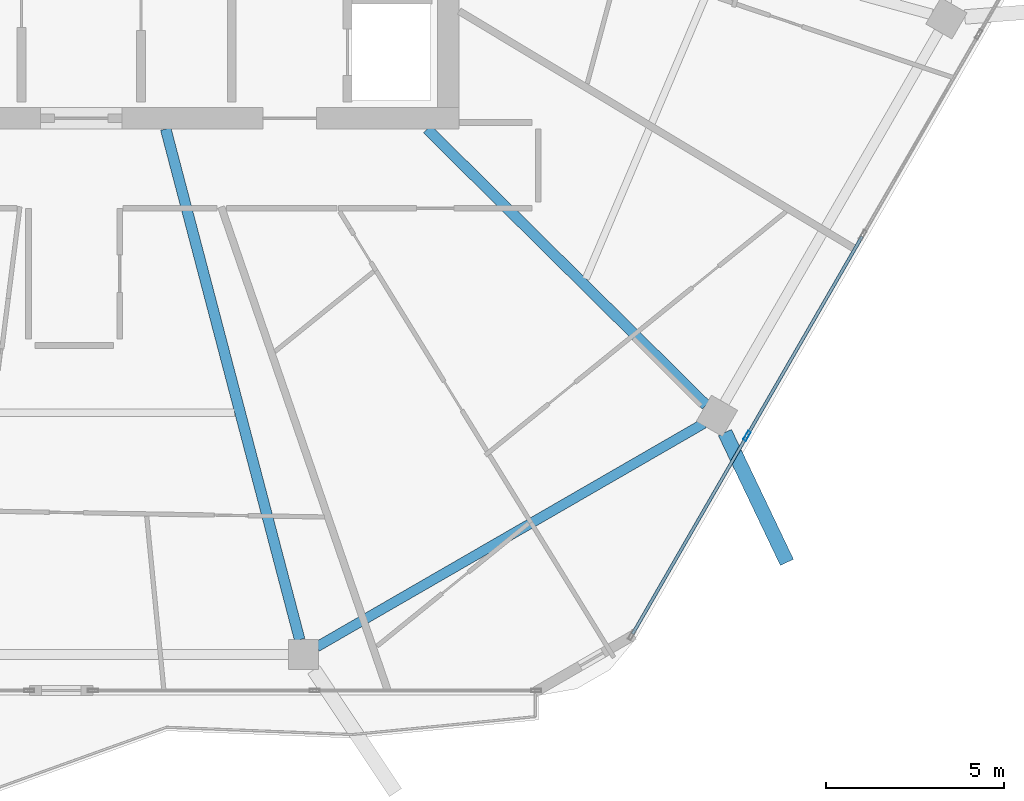
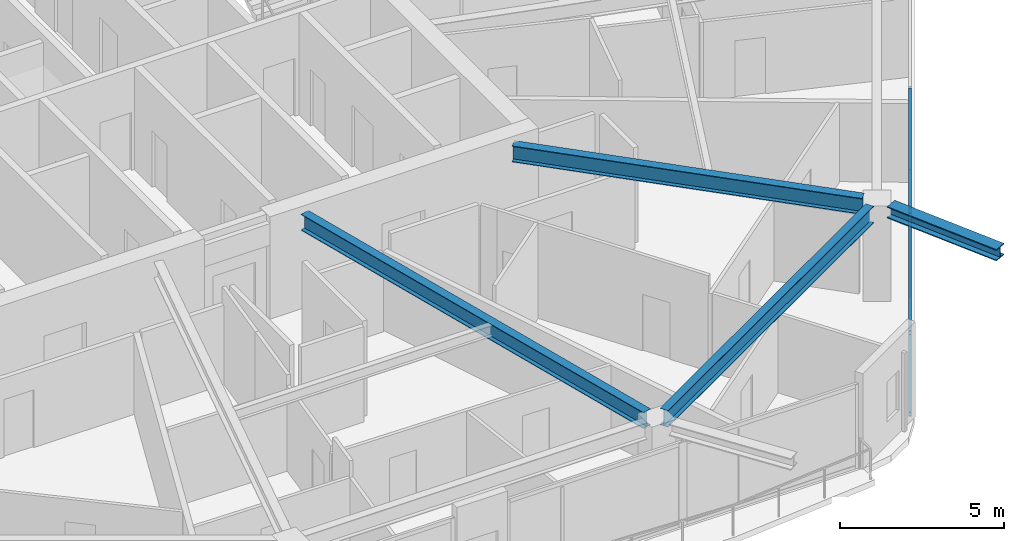
# One storey, part 8 of 26: 5 members, 4 beams, 1 element without a shape of its own.
"""IFC4 building model written with IfcOpenShell, lengths in metres."""

import ifcopenshell
import ifcopenshell.guid

model = None  # the IFC model being written
_history = None  # IfcOwnerHistory: only IFC2X3 demands one
_inside = {}  # id of a spatial element -> (the spatial element, [elements in it])
_under = {}  # id of a project, library or spatial element -> (it, [spatial elements below it])
_declared = {}  # id of a project -> (the project, [libraries it declares])
_typed = {}  # id of a type object -> (the type object, [elements of that type])
_made_of = {}  # id of a material, layer set ... -> (it, [elements and type objects made of it])


def new_model(schema):
    """Start an empty IFC model of exactly this schema.

    Asked for "IFC4X3", IfcOpenShell would pick the latest addendum, in which some entities
    have other attributes; the version numbers below select the first issue.
    IFC2X3 requires an IfcOwnerHistory on every rooted entity: one is made here for all.
    """
    global model, _history
    if schema == "IFC4X3":
        model = ifcopenshell.file(schema_version=(4, 3, 0, 0))
    else:
        model = ifcopenshell.file(schema=schema)
    _inside.clear()
    _under.clear()
    _declared.clear()
    _typed.clear()
    _made_of.clear()
    _history = None
    if model.schema == "IFC2X3":
        org = make("IfcOrganization", Name="unknown")
        user = make(
            "IfcPersonAndOrganization",
            ThePerson=make("IfcPerson", FamilyName="unknown"),
            TheOrganization=org,
        )
        app = make(
            "IfcApplication",
            ApplicationDeveloper=org,
            Version="unknown",
            ApplicationFullName="unknown",
            ApplicationIdentifier="unknown",
        )
        _history = make(
            "IfcOwnerHistory",
            OwningUser=user,
            OwningApplication=app,
            ChangeAction="ADDED",
            CreationDate=0,
        )
    return model


def make(cls, **values):
    """One entity of the class cls with the attributes given. An attribute that is None is left unset."""
    return model.create_entity(
        cls, **{name: value for name, value in values.items() if value is not None}
    )


def rooted(cls, **values):
    """An entity with a GlobalId (a new one), such as an element, a storey or a relation."""
    return make(cls, GlobalId=ifcopenshell.guid.new(), OwnerHistory=_history, **values)


def si_unit(unit_type, name, prefix=None):
    """IfcSIUnit, for example si_unit("LENGTHUNIT", "METRE", prefix="MILLI")."""
    return make("IfcSIUnit", UnitType=unit_type, Prefix=prefix, Name=name)


def assignment(units):
    """IfcUnitAssignment: the units of a project."""
    return None if units is None else make("IfcUnitAssignment", Units=units)


def point(xyz):
    """IfcCartesianPoint."""
    return None if xyz is None else make("IfcCartesianPoint", Coordinates=xyz)


def direction(xyz):
    """IfcDirection."""
    return None if xyz is None else make("IfcDirection", DirectionRatios=xyz)


def frame(location, z_axis=None, x_axis=None):
    """IfcAxis2Placement3D, a coordinate frame: its origin and axes. An axis left out is left unset."""
    return make(
        "IfcAxis2Placement3D",
        Location=point(location),
        Axis=direction(z_axis),
        RefDirection=direction(x_axis),
    )


def frame_2d(location, x_axis=None):
    """IfcAxis2Placement2D, a coordinate frame in the plane: its origin and x axis."""
    return make(
        "IfcAxis2Placement2D", Location=point(location), RefDirection=direction(x_axis)
    )


def origin():
    """The frame at (0, 0, 0) with its axes left unset."""
    return frame((0.0, 0.0, 0.0))


def origin_2d():
    """The frame at (0, 0) in the plane with its x axis left unset."""
    return frame_2d((0.0, 0.0))


def place(relative_to, where):
    """IfcLocalPlacement: puts the frame where relative to a parent placement (None: the world)."""
    return make(
        "IfcLocalPlacement", PlacementRelTo=relative_to, RelativePlacement=where
    )


def context(
    kind, dimensions, precision=None, world=None, true_north=None, identifier=None
):
    """IfcGeometricRepresentationContext, for example the 3D "Model" context."""
    return make(
        "IfcGeometricRepresentationContext",
        ContextIdentifier=identifier,
        ContextType=kind,
        CoordinateSpaceDimension=dimensions,
        Precision=precision,
        WorldCoordinateSystem=world,
        TrueNorth=true_north,
    )


def subcontext(parent, identifier, kind, view, scale=None):
    """IfcGeometricRepresentationSubContext, for example "Body" below "Model"."""
    return make(
        "IfcGeometricRepresentationSubContext",
        ContextIdentifier=identifier,
        ContextType=kind,
        ParentContext=parent,
        TargetScale=scale,
        TargetView=view,
    )


def project(units=None, contexts=None):
    """IfcProject with its units and contexts."""
    return rooted(
        "IfcProject",
        Name="project",
        RepresentationContexts=contexts,
        UnitsInContext=assignment(units),
    )


def spatial(cls, under=None, at=None, **own):
    """A site, building, storey or space (cls), placed at a placement, below another one or the project."""
    s = rooted(cls, ObjectPlacement=at, **own)
    if under is not None:
        _under.setdefault(under.id(), (under, []))[1].append(s)
    return s


def profile(cls, at=None, kind="AREA", **sizes):
    """A parametric profile (cls). Its sizes go by their IFC names, for example OverallWidth=200.0."""
    return make(cls, ProfileType=kind, Position=at, **sizes)


def hollow_rectangle(**sizes):
    """IfcRectangleHollowProfileDef."""
    return profile("IfcRectangleHollowProfileDef", **sizes)


def i_section(**sizes):
    """IfcIShapeProfileDef."""
    return profile("IfcIShapeProfileDef", **sizes)


def extrude(swept, where, along, depth):
    """IfcExtrudedAreaSolid: the profile swept, set in the frame where, extruded along a direction by depth."""
    return make(
        "IfcExtrudedAreaSolid",
        SweptArea=swept,
        Position=where,
        ExtrudedDirection=direction(along),
        Depth=depth,
    )


def shape(context_of_items, identifier, shape_type, items):
    """IfcShapeRepresentation: the items that make up one representation, for example the "Body"."""
    return make(
        "IfcShapeRepresentation",
        ContextOfItems=context_of_items,
        RepresentationIdentifier=identifier,
        RepresentationType=shape_type,
        Items=items,
    )


def material(Name=None, Category=None):
    """IfcMaterial."""
    return make("IfcMaterial", Name=Name, Category=Category)


def material_profile(
    of_material, cross_section, Name=None, Category=None, Priority=None
):
    """IfcMaterialProfile: a cross section and its material."""
    return make(
        "IfcMaterialProfile",
        Name=Name,
        Material=of_material,
        Profile=cross_section,
        Priority=Priority,
        Category=Category,
    )


def profile_set(profiles, Name=None, composite=None):
    """IfcMaterialProfileSet."""
    return make(
        "IfcMaterialProfileSet",
        Name=Name,
        MaterialProfiles=profiles,
        CompositeProfile=composite,
    )


def made_of(thing, what):
    """Note that an element or type object is made of a material, layer set ...; save() writes the relation."""
    if what is not None:
        _made_of.setdefault(what.id(), (what, []))[1].append(thing)
    return thing


def type_object(cls, material=None, **own):
    """A type object (cls), such as IfcWallType, which elements share."""
    return made_of(rooted(cls, **own), material)


def element(
    cls,
    number,
    at=None,
    inside=None,
    cuts=None,
    type_object=None,
    material=None,
    context=None,
    identifier="Body",
    shape_type=None,
    held_by="IfcProductDefinitionShape",
    body=None,
    shapes=None,
    **own,
):
    """One element of the class cls, such as IfcWall. Its Tag is "e" and its number.

    at: its placement. inside: the storey or other place that contains it. cuts: it is an
    opening in that element (IfcRelVoidsElement). A single representation is given by context,
    identifier, shape_type and body (its items); several are given by shapes. held_by: the class
    of the entity that holds the representations. save() writes the other relations.
    """
    e = rooted(cls, Tag="e%d" % number, ObjectPlacement=at, **own)
    if body is not None:
        shapes = [shape(context, identifier, shape_type, body)]
    if shapes is not None:
        e.Representation = make(held_by, Representations=shapes)
    if inside is not None:
        _inside.setdefault(inside.id(), (inside, []))[1].append(e)
    if cuts is not None:
        rooted(
            "IfcRelVoidsElement", RelatingBuildingElement=cuts, RelatedOpeningElement=e
        )
    if type_object is not None:
        _typed.setdefault(type_object.id(), (type_object, []))[1].append(e)
    return made_of(e, material)


def aggregate(whole, parts):
    """IfcRelAggregates: a whole, such as a stair, and the parts it consists of."""
    return rooted("IfcRelAggregates", RelatingObject=whole, RelatedObjects=parts)


def save(model, path):
    """Write the relations noted so far, then the file.

    IfcRelAggregates (storeys below a building ...), IfcRelContainedInSpatialStructure (elements
    in a storey), IfcRelDefinesByType, IfcRelAssociatesMaterial and IfcRelDeclares: one each for
    every whole, place, type object, material and project.
    """
    for whole, parts in _under.values():
        aggregate(whole, parts)
    for where, things in _inside.values():
        rooted(
            "IfcRelContainedInSpatialStructure",
            RelatedElements=things,
            RelatingStructure=where,
        )
    for kind, things in _typed.values():
        rooted("IfcRelDefinesByType", RelatedObjects=things, RelatingType=kind)
    for what, things in _made_of.values():
        rooted("IfcRelAssociatesMaterial", RelatedObjects=things, RelatingMaterial=what)
    for by, libraries in _declared.values():
        rooted("IfcRelDeclares", RelatingContext=by, RelatedDefinitions=libraries)
    model.write(path)


model = new_model("IFC4")

# Units and contexts
model_context = context("Model", 3, precision=1e-05, world=origin(), true_north=direction((0.0, 1.0)))
body_context = subcontext(model_context, "Body", "Model", "MODEL_VIEW")
ifc_project = project(units=[si_unit("LENGTHUNIT", "METRE"), si_unit("AREAUNIT", "SQUARE_METRE"), si_unit("VOLUMEUNIT", "CUBIC_METRE"), si_unit("PLANEANGLEUNIT", "RADIAN"), si_unit("MASSUNIT", "GRAM", prefix="KILO")], contexts=[model_context])

# Site, building, storey
site_placement = place(None, origin())
site = spatial("IfcSite", under=ifc_project, at=site_placement, CompositionType="ELEMENT")
building_placement = place(site_placement, origin())
building = spatial("IfcBuilding", under=site, at=building_placement, Name="Zuhravey Tower", CompositionType="ELEMENT")
storey_placement = place(building_placement, frame((0.0, 0.0, 288.199951171875)))
storey = spatial("IfcBuildingStorey", under=building, at=storey_placement, Name="L73", CompositionType="ELEMENT", Elevation=288.199951171875)

# Curtain wall, members
ifc_material_1 = material(Name="Thermally broken anodised aluminium", Category="aluminium")
curtain_wall_type = type_object("IfcCurtainWallType", Name="Zone 3-4 High-Rise Curtain Wall CW4", PredefinedType="NOTDEFINED", material=ifc_material_1)
curtain_wall_placement = place(storey_placement, origin())
curtain_wall = element("IfcCurtainWall", 1, at=curtain_wall_placement, inside=storey, type_object=curtain_wall_type, Name="L73 CW4 CW-L73-F6-1", PredefinedType="NOTDEFINED")
ifc_material_2 = material(Name="Anodised aluminium", Category="aluminium")
ifc_material_profile_1 = material_profile(ifc_material_2, hollow_rectangle(XDim=0.090087890625, YDim=0.284912109375, WallThickness=0.0048828125, at=origin_2d()), Name="ALU-RHS-90x285x5")
ifc_profile_set_1 = profile_set([ifc_material_profile_1], Name="Anodised aluminium")
member_type_1 = type_object("IfcMemberType", Name="Curtain-Wall Mullion 90x180", PredefinedType="MULLION", material=ifc_profile_set_1)
member_1_placement = place(storey_placement, frame((54.885498046875, 13.58349609375, 0.0), z_axis=(0.0, 0.0, 1.0), x_axis=(0.866024851021, -0.500000957414, 0.0)))
member_1 = element("IfcMember", 2, at=member_1_placement, type_object=member_type_1, Name="CW4 mullion 4", PredefinedType="MULLION", context=body_context, shape_type="SweptSolid", body=[
    extrude(hollow_rectangle(XDim=0.090087890625, YDim=0.284912109375, WallThickness=0.0048828125, at=origin_2d()), origin(), (0.0, 0.0, 1.0), 3.1220703125),
])
ifc_material_profile_2 = material_profile(ifc_material_2, hollow_rectangle(XDim=0.090087890625, YDim=0.14990234375, WallThickness=0.0048828125, at=origin_2d()), Name="ALU-RHS-90x150x5")
ifc_profile_set_2 = profile_set([ifc_material_profile_2], Name="Anodised aluminium")
member_type_2 = type_object("IfcMemberType", Name="Curtain-Wall Transom 90x150", PredefinedType="USERDEFINED", material=ifc_profile_set_2)
member_2_placement = place(storey_placement, frame((58.1162109375, 19.17919921875, 0.045166015625), z_axis=(-0.500014493347, -0.866017035885, 0.0), x_axis=(0.866017035885, -0.500014493347, 0.0)))
member_2 = element("IfcMember", 3, at=member_2_placement, type_object=member_type_2, Name="CW4 transom 3.1", ObjectType="TRANSOM", PredefinedType="USERDEFINED", context=body_context, shape_type="SweptSolid", body=[
    extrude(hollow_rectangle(XDim=0.090087890625, YDim=0.14990234375, WallThickness=0.0048828125, at=origin_2d()), origin(), (0.0, 0.0, 1.0), 6.416259765625),
])
member_3_placement = place(storey_placement, frame((58.1162109375, 19.17919921875, 3.0771484375), z_axis=(-0.500014493347, -0.866017035885, 0.0), x_axis=(0.866017035885, -0.500014493347, 0.0)))
member_3 = element("IfcMember", 4, at=member_3_placement, type_object=member_type_2, Name="CW4 transom 3.2", ObjectType="TRANSOM", PredefinedType="USERDEFINED", context=body_context, shape_type="SweptSolid", body=[
    extrude(hollow_rectangle(XDim=0.090087890625, YDim=0.14990234375, WallThickness=0.0048828125, at=origin_2d()), origin(), (0.0, 0.0, 1.0), 6.416259765625),
])
member_4_placement = place(storey_placement, frame((54.863037109375, 13.544677734375, 0.045166015625), z_axis=(-0.499980071345, -0.866036909293, 0.0), x_axis=(0.866036909293, -0.499980071345, 0.0)))
member_4 = element("IfcMember", 5, at=member_4_placement, type_object=member_type_2, Name="CW4 transom 4.1", ObjectType="TRANSOM", PredefinedType="USERDEFINED", context=body_context, shape_type="SweptSolid", body=[
    extrude(hollow_rectangle(XDim=0.090087890625, YDim=0.14990234375, WallThickness=0.0048828125, at=origin_2d()), origin(), (0.0, 0.0, 1.0), 6.371337890625),
])
member_5_placement = place(storey_placement, frame((54.863037109375, 13.544677734375, 3.0771484375), z_axis=(-0.499980071345, -0.866036909293, 0.0), x_axis=(0.866036909293, -0.499980071345, 0.0)))
member_5 = element("IfcMember", 6, at=member_5_placement, type_object=member_type_2, Name="CW4 transom 4.2", ObjectType="TRANSOM", PredefinedType="USERDEFINED", context=body_context, shape_type="SweptSolid", body=[
    extrude(hollow_rectangle(XDim=0.090087890625, YDim=0.14990234375, WallThickness=0.0048828125, at=origin_2d()), origin(), (0.0, 0.0, 1.0), 6.371337890625),
])
aggregate(curtain_wall, [member_1, member_2, member_3, member_4, member_5])

# Beams
ifc_material_3 = material(Name="Steel SM460", Category="steel")
ifc_material_profile_3 = material_profile(ifc_material_3, i_section(OverallWidth=0.406982421875, OverallDepth=0.427978515625, WebThickness=0.02001953125, FlangeThickness=0.034912109375, at=origin_2d()), Name="H-428x407x20x35")
ifc_profile_set_3 = profile_set([ifc_material_profile_3], Name="Steel SM460")
beam_type_1 = type_object("IfcBeamType", Name="Exoskeleton Node Tie Beam H428x407", PredefinedType="BEAM", material=ifc_profile_set_3)
beam_1_placement = place(storey_placement, frame((54.267578125, 13.676513671875, 3.3359375), z_axis=(0.430986955836, -0.902358157219, 0.0), x_axis=(0.902358157219, 0.430986955836, 0.0)))
element("IfcBeam", 7, at=beam_1_placement, inside=storey, type_object=beam_type_1, Name="L73 Exoskeleton Node Tie NT1-11", PredefinedType="BEAM", context=body_context, shape_type="SweptSolid", body=[
    extrude(i_section(OverallWidth=0.406982421875, OverallDepth=0.427978515625, WebThickness=0.02001953125, FlangeThickness=0.034912109375, at=origin_2d()), origin(), (0.0, 0.0, 1.0), 4.038330078125),
])
ifc_material_4 = material(Name="Steel SM355", Category="steel")
ifc_material_profile_4 = material_profile(ifc_material_4, i_section(OverallWidth=0.280029296875, OverallDepth=0.6201171875, WebThickness=0.011962890625, FlangeThickness=0.02001953125, at=origin_2d()), Name="H-620x280x12x20")
ifc_profile_set_4 = profile_set([ifc_material_profile_4], Name="Steel SM355")
beam_type_2 = type_object("IfcBeamType", Name="Perimeter Ring Beam H620x280", PredefinedType="BEAM", material=ifc_profile_set_4)
beam_2_placement = place(storey_placement, frame((42.8115234375, 7.660400390625, 3.239990234375), z_axis=(0.866018312875, 0.500012281615, 0.0), x_axis=(-0.500012281615, 0.866018312875, 0.0)))
element("IfcBeam", 8, at=beam_2_placement, inside=storey, type_object=beam_type_2, Name="L73 PB3 BM-L73-PB-10", PredefinedType="BEAM", context=body_context, shape_type="SweptSolid", body=[
    extrude(i_section(OverallWidth=0.280029296875, OverallDepth=0.6201171875, WebThickness=0.011962890625, FlangeThickness=0.02001953125, at=origin_2d()), origin(), (0.0, 0.0, 1.0), 12.541748046875),
])
ifc_material_profile_5 = material_profile(ifc_material_4, i_section(OverallWidth=0.300048828125, OverallDepth=0.60009765625, WebThickness=0.011962890625, FlangeThickness=0.02001953125, at=origin_2d()), Name="H-600x300x12x20")
ifc_profile_set_5 = profile_set([ifc_material_profile_5], Name="Steel SM355")
beam_type_3 = type_object("IfcBeamType", Name="Radial Primary Girder H600x300", PredefinedType="BEAM", material=ifc_profile_set_5)
beam_3_placement = place(storey_placement, frame((38.571533203125, 22.197021484375, 3.25), z_axis=(0.25373188956, -0.967274587809, 0.0), x_axis=(0.967274587809, 0.25373188956, 0.0)))
element("IfcBeam", 9, at=beam_3_placement, inside=storey, type_object=beam_type_3, Name="L73 RG3 BM-L73-RAD-10", PredefinedType="BEAM", context=body_context, shape_type="SweptSolid", body=[
    extrude(i_section(OverallWidth=0.300048828125, OverallDepth=0.60009765625, WebThickness=0.011962890625, FlangeThickness=0.02001953125, at=origin_2d()), origin(), (0.0, 0.0, 1.0), 14.82177734375),
])
beam_4_placement = place(storey_placement, frame((45.90673828125, 22.197021484375, 3.25), z_axis=(0.710808169267, -0.70338591577, 0.0), x_axis=(0.70338591577, 0.710808169267, 0.0)))
element("IfcBeam", 10, at=beam_4_placement, inside=storey, type_object=beam_type_3, Name="L73 RG3 BM-L73-RAD-11", PredefinedType="BEAM", context=body_context, shape_type="SweptSolid", body=[
    extrude(i_section(OverallWidth=0.300048828125, OverallDepth=0.60009765625, WebThickness=0.011962890625, FlangeThickness=0.02001953125, at=origin_2d()), origin(), (0.0, 0.0, 1.0), 11.019287109375),
])

save(model, "model.ifc")
